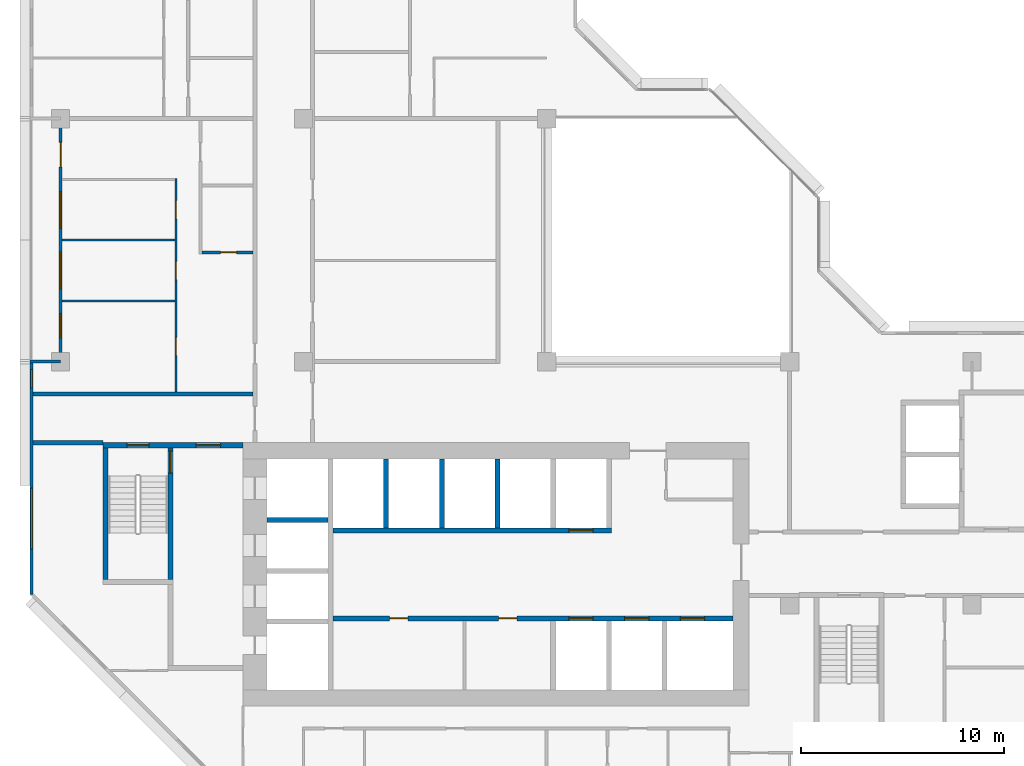
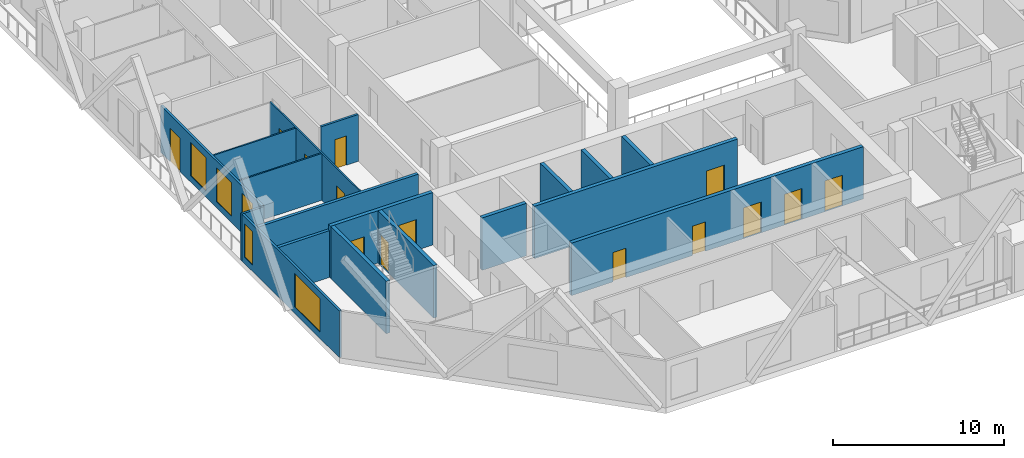
# One storey, part 5 of 14: 18 walls, 14 doors, 5 windows, 19 openings.
"""IFC4 building model written with IfcOpenShell, lengths in metres."""

from ifc_helpers import new_model, si_unit, direction, frame, frame_2d, origin, place, context, subcontext, project, spatial, rectangle, extrude, material, layer, layer_set, type_object, element, fill, save


model = new_model("IFC4")

# Units and contexts
model_context = context("Model", 3, precision=1e-05, world=origin(), true_north=direction((0.0, 1.0)))
body_context = subcontext(model_context, "Body", "Model", "MODEL_VIEW")
ifc_project = project(units=[si_unit("LENGTHUNIT", "METRE"), si_unit("AREAUNIT", "SQUARE_METRE"), si_unit("VOLUMEUNIT", "CUBIC_METRE"), si_unit("PLANEANGLEUNIT", "RADIAN"), si_unit("MASSUNIT", "GRAM", prefix="KILO")], contexts=[model_context])

# Site, building, storey
site_placement = place(None, origin())
site = spatial("IfcSite", under=ifc_project, at=site_placement, CompositionType="ELEMENT")
building_placement = place(site_placement, origin())
building = spatial("IfcBuilding", under=site, at=building_placement, Name="Chenar Terraces", CompositionType="ELEMENT")
storey_placement = place(building_placement, frame((0.0, 0.0, 157.39990234375)))
storey = spatial("IfcBuildingStorey", under=building, at=storey_placement, Name="L35", CompositionType="ELEMENT", Elevation=157.39990234375)

# Wall, openings, doors
ifc_material_1 = material(Name="Concrete C60/75", Category="concrete")
ifc_layer_1 = layer(ifc_material_1, 0.25)
ifc_layer_set_1 = layer_set([ifc_layer_1], Name="Concrete C60/75")
wall_type_1 = type_object("IfcWallType", Name="Core wall 250 Concrete C60/75", PredefinedType="SHEAR", material=ifc_layer_set_1)
wall_1_placement = place(storey_placement, frame((13.449951171875, 11.324951171875, 0.0), z_axis=(0.0, 0.0, 1.0), x_axis=(1.0, 0.0, 0.0)))
wall_1 = element("IfcWall", 1, at=wall_1_placement, inside=storey, type_object=wall_type_1, Name="Core wall SF L35", PredefinedType="SHEAR", context=body_context, shape_type="SweptSolid", body=[
    extrude(rectangle(XDim=19.75, YDim=0.25, at=frame_2d((9.875, 0.0))), origin(), (0.0, 0.0, 1.0), 3.75),
])
opening_1_placement = place(wall_1_placement, frame((11.64990234375, 0.0, 0.0)))
opening_1 = element("IfcOpeningElement", 2, at=opening_1_placement, cuts=wall_1, Name="Opening DL35-LD1", PredefinedType="OPENING", context=body_context, shape_type="SweptSolid", body=[
    extrude(rectangle(XDim=1.199951171875, YDim=2.199951171875, at=frame_2d((0.60009765625, 1.10009765625))), frame((0.0, 0.135009765625, 0.0), z_axis=(0.0, -1.0, 0.0), x_axis=(1.0, 0.0, 0.0)), (0.0, 0.0, 1.0), 0.27001953125),
])
opening_2_placement = place(wall_1_placement, frame((14.39990234375, 0.0, 0.0)))
opening_2 = element("IfcOpeningElement", 3, at=opening_2_placement, cuts=wall_1, Name="Opening DL35-LD2", PredefinedType="OPENING", context=body_context, shape_type="SweptSolid", body=[
    extrude(rectangle(XDim=1.199951171875, YDim=2.199951171875, at=frame_2d((0.60009765625, 1.10009765625))), frame((0.0, 0.135009765625, 0.0), z_axis=(0.0, -1.0, 0.0), x_axis=(1.0, 0.0, 0.0)), (0.0, 0.0, 1.0), 0.27001953125),
])
opening_3_placement = place(wall_1_placement, frame((17.14990234375, 0.0, 0.0)))
opening_3 = element("IfcOpeningElement", 4, at=opening_3_placement, cuts=wall_1, Name="Opening DL35-LD3", PredefinedType="OPENING", context=body_context, shape_type="SweptSolid", body=[
    extrude(rectangle(XDim=1.199951171875, YDim=2.199951171875, at=frame_2d((0.60009765625, 1.10009765625))), frame((0.0, 0.135009765625, 0.0), z_axis=(0.0, -1.0, 0.0), x_axis=(1.0, 0.0, 0.0)), (0.0, 0.0, 1.0), 0.27001953125),
])
opening_4_placement = place(wall_1_placement, frame((2.800048828125, 0.0, 0.0)))
opening_4 = element("IfcOpeningElement", 5, at=opening_4_placement, cuts=wall_1, Name="Opening DL35-C12", PredefinedType="OPENING", context=body_context, shape_type="SweptSolid", body=[
    extrude(rectangle(XDim=0.89990234375, YDim=2.10009765625, at=frame_2d((0.449951171875, 1.050048828125))), frame((0.0, 0.135009765625, 0.0), z_axis=(0.0, -1.0, 0.0), x_axis=(1.0, 0.0, 0.0)), (0.0, 0.0, 1.0), 0.27001953125),
])
opening_5_placement = place(wall_1_placement, frame((8.175048828125, 0.0, 0.0)))
opening_5 = element("IfcOpeningElement", 6, at=opening_5_placement, cuts=wall_1, Name="Opening DL35-C13", PredefinedType="OPENING", context=body_context, shape_type="SweptSolid", body=[
    extrude(rectangle(XDim=0.89990234375, YDim=2.10009765625, at=frame_2d((0.449951171875, 1.050048828125))), frame((0.0, 0.135009765625, 0.0), z_axis=(0.0, -1.0, 0.0), x_axis=(1.0, 0.0, 0.0)), (0.0, 0.0, 1.0), 0.27001953125),
])
ifc_material_2 = material(Name="Stainless steel", Category="steel")
door_type_1 = type_object("IfcDoorType", Name="Lift landing door 1200 x 2200 sliding", OperationType="DOUBLE_DOOR_SLIDING", PredefinedType="DOOR", material=ifc_material_2)
door_1_placement = place(opening_1_placement, origin())
door_1 = element("IfcDoor", 7, at=door_1_placement, inside=storey, type_object=door_type_1, Name="Landing door M1", OperationType="DOUBLE_DOOR_SLIDING", OverallHeight=2.199951171875, OverallWidth=1.199951171875, PredefinedType="DOOR", context=body_context, shape_type="SweptSolid", body=[
    extrude(rectangle(XDim=1.199951171875, YDim=2.199951171875, at=frame_2d((0.60009765625, 1.10009765625))), frame((0.0, 0.02490234375, 0.0), z_axis=(0.0, -1.0, 0.0), x_axis=(1.0, 0.0, 0.0)), (0.0, 0.0, 1.0), 0.050048828125),
])
fill(opening_1, door_1)
door_2_placement = place(opening_2_placement, origin())
door_2 = element("IfcDoor", 8, at=door_2_placement, inside=storey, type_object=door_type_1, Name="Landing door M2", OperationType="DOUBLE_DOOR_SLIDING", OverallHeight=2.199951171875, OverallWidth=1.199951171875, PredefinedType="DOOR", context=body_context, shape_type="SweptSolid", body=[
    extrude(rectangle(XDim=1.199951171875, YDim=2.199951171875, at=frame_2d((0.60009765625, 1.10009765625))), frame((0.0, 0.02490234375, 0.0), z_axis=(0.0, -1.0, 0.0), x_axis=(1.0, 0.0, 0.0)), (0.0, 0.0, 1.0), 0.050048828125),
])
fill(opening_2, door_2)
door_3_placement = place(opening_3_placement, origin())
door_3 = element("IfcDoor", 9, at=door_3_placement, inside=storey, type_object=door_type_1, Name="Landing door M3", OperationType="DOUBLE_DOOR_SLIDING", OverallHeight=2.199951171875, OverallWidth=1.199951171875, PredefinedType="DOOR", context=body_context, shape_type="SweptSolid", body=[
    extrude(rectangle(XDim=1.199951171875, YDim=2.199951171875, at=frame_2d((0.60009765625, 1.10009765625))), frame((0.0, 0.02490234375, 0.0), z_axis=(0.0, -1.0, 0.0), x_axis=(1.0, 0.0, 0.0)), (0.0, 0.0, 1.0), 0.050048828125),
])
fill(opening_3, door_3)
ifc_material_3 = material(Name="Steel-framed fire-resisting door leaf", Category="steel")
door_type_2 = type_object("IfcDoorType", Name="Riser fire door FD60 900 x 2100", OperationType="SINGLE_SWING_LEFT", PredefinedType="DOOR", material=ifc_material_3)
door_4_placement = place(opening_4_placement, frame((0.89990234375, 0.0, 0.0), z_axis=(0.0, 0.0, 1.0), x_axis=(-1.0, 0.0, 0.0)))
door_4 = element("IfcDoor", 10, at=door_4_placement, inside=storey, type_object=door_type_2, Name="Core room door DL35-C12", OperationType="SINGLE_SWING_LEFT", OverallHeight=2.10009765625, OverallWidth=0.89990234375, PredefinedType="DOOR", context=body_context, shape_type="SweptSolid", body=[
    extrude(rectangle(XDim=0.89990234375, YDim=2.10009765625, at=frame_2d((0.449951171875, 1.050048828125))), frame((0.0, 0.02490234375, 0.0), z_axis=(0.0, -1.0, 0.0), x_axis=(1.0, 0.0, 0.0)), (0.0, 0.0, 1.0), 0.050048828125),
])
fill(opening_4, door_4)
door_5_placement = place(opening_5_placement, frame((0.89990234375, 0.0, 0.0), z_axis=(0.0, 0.0, 1.0), x_axis=(-1.0, 0.0, 0.0)))
door_5 = element("IfcDoor", 11, at=door_5_placement, inside=storey, type_object=door_type_2, Name="Core room door DL35-C13", OperationType="SINGLE_SWING_LEFT", OverallHeight=2.10009765625, OverallWidth=0.89990234375, PredefinedType="DOOR", context=body_context, shape_type="SweptSolid", body=[
    extrude(rectangle(XDim=0.89990234375, YDim=2.10009765625, at=frame_2d((0.449951171875, 1.050048828125))), frame((0.0, 0.02490234375, 0.0), z_axis=(0.0, -1.0, 0.0), x_axis=(1.0, 0.0, 0.0)), (0.0, 0.0, 1.0), 0.050048828125),
])
fill(opening_5, door_5)

# Wall, opening, door
wall_2_placement = place(storey_placement, frame((13.449951171875, 15.675048828125, 0.0), z_axis=(0.0, 0.0, 1.0), x_axis=(1.0, 0.0, 0.0)))
wall_2 = element("IfcWall", 12, at=wall_2_placement, inside=storey, type_object=wall_type_1, Name="Core wall NF L35", PredefinedType="SHEAR", context=body_context, shape_type="SweptSolid", body=[
    extrude(rectangle(XDim=13.75, YDim=0.25, at=frame_2d((6.875, 0.0))), origin(), (0.0, 0.0, 1.0), 3.75),
])
opening_6_placement = place(wall_2_placement, frame((11.64990234375, 0.0, 0.0)))
opening_6 = element("IfcOpeningElement", 13, at=opening_6_placement, cuts=wall_2, Name="Opening DL35-LD4", PredefinedType="OPENING", context=body_context, shape_type="SweptSolid", body=[
    extrude(rectangle(XDim=1.199951171875, YDim=2.199951171875, at=frame_2d((0.60009765625, 1.10009765625))), frame((0.0, 0.135009765625, 0.0), z_axis=(0.0, -1.0, 0.0), x_axis=(1.0, 0.0, 0.0)), (0.0, 0.0, 1.0), 0.27001953125),
])
door_6_placement = place(opening_6_placement, origin())
door_6 = element("IfcDoor", 14, at=door_6_placement, inside=storey, type_object=door_type_1, Name="Landing door M4", OperationType="DOUBLE_DOOR_SLIDING", OverallHeight=2.199951171875, OverallWidth=1.199951171875, PredefinedType="DOOR", context=body_context, shape_type="SweptSolid", body=[
    extrude(rectangle(XDim=1.199951171875, YDim=2.199951171875, at=frame_2d((0.60009765625, 1.10009765625))), frame((0.0, 0.02490234375, 0.0), z_axis=(0.0, -1.0, 0.0), x_axis=(1.0, 0.0, 0.0)), (0.0, 0.0, 1.0), 0.050048828125),
])
fill(opening_6, door_6)

# Walls
wall_3_placement = place(storey_placement, frame((10.199951171875, 16.175048828125, 0.0), z_axis=(0.0, 0.0, 1.0), x_axis=(1.0, 0.0, 0.0)))
element("IfcWall", 15, at=wall_3_placement, inside=storey, type_object=wall_type_1, Name="Core wall HW2 L35", PredefinedType="SHEAR", context=body_context, shape_type="SweptSolid", body=[
    extrude(rectangle(XDim=3.0, YDim=0.25, at=frame_2d((1.5, 0.0))), origin(), (0.0, 0.0, 1.0), 3.75),
])
for number, where, z_axis, x_axis, name in (
    (16, (16.074951171875, 15.800048828125, 0.0), (0.0, 0.0, 1.0), (0.0, 1.0, 0.0), "Core wall NS0 L35"),
    (17, (18.824951171875, 15.800048828125, 0.0), (0.0, 0.0, 1.0), (0.0, 1.0, 0.0), "Core wall NS1 L35"),
    (18, (21.574951171875, 15.800048828125, 0.0), (0.0, 0.0, 1.0), (0.0, 1.0, 0.0), "Core wall NS2 L35"),
):
    element("IfcWall", number, at=place(storey_placement, frame(where, z_axis=z_axis, x_axis=x_axis)), inside=storey, type_object=wall_type_1, Name=name, PredefinedType="SHEAR", context=body_context, shape_type="SweptSolid", body=[
        extrude(rectangle(XDim=3.39990234375, YDim=0.25, at=frame_2d((1.699951171875, 0.0))), origin(), (0.0, 0.0, 1.0), 3.75),
    ])

# Wall, openings, doors
wall_4_placement = place(storey_placement, frame((2.10009765625, 19.875, 0.0), z_axis=(0.0, 0.0, 1.0), x_axis=(1.0, 0.0, 0.0)))
wall_4 = element("IfcWall", 19, at=wall_4_placement, inside=storey, type_object=wall_type_1, Name="Core wall A_N L35", PredefinedType="SHEAR", context=body_context, shape_type="SweptSolid", body=[
    extrude(rectangle(XDim=6.89990234375, YDim=0.25, at=frame_2d((3.449951171875, 0.0))), origin(), (0.0, 0.0, 1.0), 3.75),
])
opening_7_placement = place(wall_4_placement, frame((1.175048828125, 0.0, 0.0)))
opening_7 = element("IfcOpeningElement", 20, at=opening_7_placement, cuts=wall_4, Name="Opening DL35-C5", PredefinedType="OPENING", context=body_context, shape_type="SweptSolid", body=[
    extrude(rectangle(XDim=1.10009765625, YDim=2.199951171875, at=frame_2d((0.550048828125, 1.10009765625))), frame((0.0, 0.135009765625, 0.0), z_axis=(0.0, -1.0, 0.0), x_axis=(1.0, 0.0, 0.0)), (0.0, 0.0, 1.0), 0.27001953125),
])
opening_8_placement = place(wall_4_placement, frame((4.60009765625, 0.0, 0.0)))
opening_8 = element("IfcOpeningElement", 21, at=opening_8_placement, cuts=wall_4, Name="Opening DL35-C6", PredefinedType="OPENING", context=body_context, shape_type="SweptSolid", body=[
    extrude(rectangle(XDim=1.199951171875, YDim=2.199951171875, at=frame_2d((0.60009765625, 1.10009765625))), frame((0.0, 0.135009765625, 0.0), z_axis=(0.0, -1.0, 0.0), x_axis=(1.0, 0.0, 0.0)), (0.0, 0.0, 1.0), 0.27001953125),
])
ifc_material_4 = material(Name="Steel-framed fire-resisting door leaf", Category="steel")
door_type_3 = type_object("IfcDoorType", Name="Lobby fire door FD60 1200 x 2200", OperationType="SINGLE_SWING_LEFT", PredefinedType="DOOR", material=ifc_material_4)
door_7_placement = place(opening_8_placement, frame((1.199951171875, 0.0, 0.0), z_axis=(0.0, 0.0, 1.0), x_axis=(-1.0, 0.0, 0.0)))
door_7 = element("IfcDoor", 22, at=door_7_placement, inside=storey, type_object=door_type_3, Name="Core door DL35-C6", OperationType="SINGLE_SWING_LEFT", OverallHeight=2.199951171875, OverallWidth=1.199951171875, PredefinedType="DOOR", context=body_context, shape_type="SweptSolid", body=[
    extrude(rectangle(XDim=1.199951171875, YDim=2.199951171875, at=frame_2d((0.60009765625, 1.10009765625))), frame((0.0, 0.02490234375, 0.0), z_axis=(0.0, -1.0, 0.0), x_axis=(1.0, 0.0, 0.0)), (0.0, 0.0, 1.0), 0.050048828125),
])
fill(opening_8, door_7)
ifc_material_5 = material(Name="Steel-framed fire-resisting door leaf", Category="steel")
door_type_4 = type_object("IfcDoorType", Name="Stair fire door FD60 1100 x 2200", OperationType="SINGLE_SWING_LEFT", PredefinedType="DOOR", material=ifc_material_5)
door_8_placement = place(opening_7_placement, origin())
door_8 = element("IfcDoor", 23, at=door_8_placement, inside=storey, type_object=door_type_4, Name="Stair door DL35-C5", OperationType="SINGLE_SWING_LEFT", OverallHeight=2.199951171875, OverallWidth=1.10009765625, PredefinedType="DOOR", context=body_context, shape_type="SweptSolid", body=[
    extrude(rectangle(XDim=1.10009765625, YDim=2.199951171875, at=frame_2d((0.550048828125, 1.10009765625))), frame((0.0, 0.02490234375, 0.0), z_axis=(0.0, -1.0, 0.0), x_axis=(1.0, 0.0, 0.0)), (0.0, 0.0, 1.0), 0.050048828125),
])
fill(opening_7, door_8)

# Wall
wall_5_placement = place(storey_placement, frame((2.22509765625, 13.25, 0.0), z_axis=(0.0, 0.0, 1.0), x_axis=(0.0, 1.0, 0.0)))
element("IfcWall", 24, at=wall_5_placement, inside=storey, type_object=wall_type_1, Name="Core wall ST1_W L35", PredefinedType="SHEAR", context=body_context, shape_type="SweptSolid", body=[
    extrude(rectangle(XDim=6.5, YDim=0.25, at=frame_2d((3.25, 0.0))), origin(), (0.0, 0.0, 1.0), 3.75),
])

# Wall, opening, door
wall_6_placement = place(storey_placement, frame((5.425048828125, 13.25, 0.0), z_axis=(0.0, 0.0, 1.0), x_axis=(0.0, 1.0, 0.0)))
wall_6 = element("IfcWall", 25, at=wall_6_placement, inside=storey, type_object=wall_type_1, Name="Core wall ST1_E L35", PredefinedType="SHEAR", context=body_context, shape_type="SweptSolid", body=[
    extrude(rectangle(XDim=6.5, YDim=0.25, at=frame_2d((3.25, 0.0))), origin(), (0.0, 0.0, 1.0), 3.75),
])
opening_9_placement = place(wall_6_placement, frame((5.25, 0.0, 0.0)))
opening_9 = element("IfcOpeningElement", 26, at=opening_9_placement, cuts=wall_6, Name="Opening DL35-C3", PredefinedType="OPENING", context=body_context, shape_type="SweptSolid", body=[
    extrude(rectangle(XDim=1.10009765625, YDim=2.199951171875, at=frame_2d((0.550048828125, 1.10009765625))), frame((0.0, 0.135009765625, 0.0), z_axis=(0.0, -1.0, 0.0), x_axis=(1.0, 0.0, 0.0)), (0.0, 0.0, 1.0), 0.27001953125),
])
door_9_placement = place(opening_9_placement, origin())
door_9 = element("IfcDoor", 27, at=door_9_placement, inside=storey, type_object=door_type_4, Name="Stair door DL35-C3", OperationType="SINGLE_SWING_RIGHT", OverallHeight=2.199951171875, OverallWidth=1.10009765625, PredefinedType="DOOR", context=body_context, shape_type="SweptSolid", body=[
    extrude(rectangle(XDim=1.10009765625, YDim=2.199951171875, at=frame_2d((0.550048828125, 1.10009765625))), frame((0.0, 0.02490234375, 0.0), z_axis=(0.0, -1.0, 0.0), x_axis=(1.0, 0.0, 0.0)), (0.0, 0.0, 1.0), 0.050048828125),
])
fill(opening_9, door_9)

# Walls
ifc_material_6 = material(Name="Gypsum board on steel studs with fire boards", Category="steel")
ifc_layer_2 = layer(ifc_material_6, 0.199951171875)
ifc_layer_set_2 = layer_set([ifc_layer_2], Name="Gypsum board on steel studs with fire boards")
wall_type_2 = type_object("IfcWallType", Name="Corridor wall 200", PredefinedType="PARTITIONING", material=ifc_layer_set_2)
wall_7_placement = place(storey_placement, frame((-1.35009765625, 20.0, 0.0), z_axis=(0.0, 0.0, 1.0), x_axis=(1.0, 0.0, 0.0)))
element("IfcWall", 28, at=wall_7_placement, inside=storey, type_object=wall_type_2, Name="Partition L35-004", PredefinedType="PARTITIONING", context=body_context, shape_type="SweptSolid", body=[
    extrude(rectangle(XDim=3.4501953125, YDim=0.199951171875, at=frame_2d((1.72509765625, 0.0))), origin(), (0.0, 0.0, 1.0), 3.35009765625),
])
wall_8_placement = place(storey_placement, frame((-1.35009765625, 22.39990234375, 0.0), z_axis=(0.0, 0.0, 1.0), x_axis=(1.0, 0.0, 0.0)))
element("IfcWall", 29, at=wall_8_placement, inside=storey, type_object=wall_type_2, Name="Partition L35-005", PredefinedType="PARTITIONING", context=body_context, shape_type="SweptSolid", body=[
    extrude(rectangle(XDim=10.85009765625, YDim=0.199951171875, at=frame_2d((5.425048828125, 0.0))), origin(), (0.0, 0.0, 1.0), 3.35009765625),
])

# Wall, openings, windows
ifc_material_7 = material(Name="Aluminium framed glazing", Category="aluminium")
ifc_layer_3 = layer(ifc_material_7, 0.14990234375)
ifc_layer_set_3 = layer_set([ifc_layer_3], Name="Aluminium framed glazing")
wall_type_3 = type_object("IfcWallType", Name="Glazed flush facade wall 150", PredefinedType="SOLIDWALL", material=ifc_layer_set_3)
wall_9_placement = place(storey_placement, frame((-1.425048828125, 23.925048828125, 0.0), z_axis=(0.0, 0.0, 1.0), x_axis=(0.0, -1.0, 0.0)))
wall_9 = element("IfcWall", 30, at=wall_9_placement, inside=storey, type_object=wall_type_3, Name="Glazed flush facade wall", PredefinedType="SOLIDWALL", context=body_context, shape_type="SweptSolid", body=[
    extrude(rectangle(XDim=11.425048828125, YDim=0.14990234375, at=frame_2d((5.71240234375, 0.0))), origin(), (0.0, 0.0, 1.0), 3.35009765625),
])
opening_10_placement = place(wall_9_placement, frame((0.3125, 0.0, 0.449951171875)))
opening_10 = element("IfcOpeningElement", 31, at=opening_10_placement, cuts=wall_9, Name="Opening W90x240", PredefinedType="OPENING", context=body_context, shape_type="SweptSolid", body=[
    extrude(rectangle(XDim=0.89990234375, YDim=2.39990234375, at=frame_2d((0.449951171875, 1.199951171875))), frame((0.0, 0.0849609375, 0.0), z_axis=(0.0, -1.0, 0.0), x_axis=(1.0, 0.0, 0.0)), (0.0, 0.0, 1.0), 0.169921875),
])
opening_11_placement = place(wall_9_placement, frame((6.175048828125, 0.0, 0.449951171875)))
opening_11 = element("IfcOpeningElement", 32, at=opening_11_placement, cuts=wall_9, Name="Opening W300x240", PredefinedType="OPENING", context=body_context, shape_type="SweptSolid", body=[
    extrude(rectangle(XDim=3.0, YDim=2.39990234375, at=frame_2d((1.5, 1.199951171875))), frame((0.0, 0.0849609375, 0.0), z_axis=(0.0, -1.0, 0.0), x_axis=(1.0, 0.0, 0.0)), (0.0, 0.0, 1.0), 0.169921875),
])
ifc_material_8 = material(Name="Low emissivity double glazing, aluminium frame", Category="aluminium")
window_type_1 = type_object("IfcWindowType", Name="Fixed light 3000 x 2400", PartitioningType="SINGLE_PANEL", PredefinedType="WINDOW", material=ifc_material_8)
window_1_placement = place(opening_11_placement, origin())
window_1 = element("IfcWindow", 33, at=window_1_placement, inside=storey, type_object=window_type_1, Name="Window", OverallHeight=2.39990234375, OverallWidth=3.0, PartitioningType="SINGLE_PANEL", PredefinedType="WINDOW", context=body_context, shape_type="SweptSolid", body=[
    extrude(rectangle(XDim=3.0, YDim=2.39990234375, at=frame_2d((1.5, 1.199951171875))), frame((0.0, 0.030029296875, 0.0), z_axis=(0.0, -1.0, 0.0), x_axis=(1.0, 0.0, 0.0)), (0.0, 0.0, 1.0), 0.06005859375),
])
fill(opening_11, window_1)
ifc_material_9 = material(Name="Low emissivity double glazing, aluminium frame", Category="aluminium")
window_type_2 = type_object("IfcWindowType", Name="Fixed light 900 x 2400", PartitioningType="SINGLE_PANEL", PredefinedType="WINDOW", material=ifc_material_9)
window_2_placement = place(opening_10_placement, origin())
window_2 = element("IfcWindow", 34, at=window_2_placement, inside=storey, type_object=window_type_2, Name="Window", OverallHeight=2.39990234375, OverallWidth=0.89990234375, PartitioningType="SINGLE_PANEL", PredefinedType="WINDOW", context=body_context, shape_type="SweptSolid", body=[
    extrude(rectangle(XDim=0.89990234375, YDim=2.39990234375, at=frame_2d((0.449951171875, 1.199951171875))), frame((0.0, 0.030029296875, 0.0), z_axis=(0.0, -1.0, 0.0), x_axis=(1.0, 0.0, 0.0)), (0.0, 0.0, 1.0), 0.06005859375),
])
fill(opening_10, window_2)

# Wall, openings, windows, door
ifc_material_10 = material(Name="Aluminium framed glazing", Category="aluminium")
ifc_layer_4 = layer(ifc_material_10, 0.14990234375)
ifc_layer_set_4 = layer_set([ifc_layer_4], Name="Aluminium framed glazing")
wall_type_4 = type_object("IfcWallType", Name="Glazed loggia back wall 150", PredefinedType="SOLIDWALL", material=ifc_layer_set_4)
wall_10_placement = place(storey_placement, frame((0.0, 35.925048828125, 0.0), z_axis=(0.0, 0.0, 1.0), x_axis=(0.0, -1.0, 0.0)))
wall_10 = element("IfcWall", 35, at=wall_10_placement, inside=storey, type_object=wall_type_4, Name="Glazed loggia back wall", PredefinedType="SOLIDWALL", context=body_context, shape_type="SweptSolid", body=[
    extrude(rectangle(XDim=11.85009765625, YDim=0.14990234375, at=frame_2d((5.925048828125, 0.0))), origin(), (0.0, 0.0, 1.0), 3.35009765625),
])
opening_12_placement = place(wall_10_placement, frame((1.10009765625, 0.0, 0.0)))
opening_12 = element("IfcOpeningElement", 36, at=opening_12_placement, cuts=wall_10, Name="Opening DL35-G5", PredefinedType="OPENING", context=body_context, shape_type="SweptSolid", body=[
    extrude(rectangle(XDim=1.199951171875, YDim=2.39990234375, at=frame_2d((0.60009765625, 1.199951171875))), frame((0.0, 0.0849609375, 0.0), z_axis=(0.0, -1.0, 0.0), x_axis=(1.0, 0.0, 0.0)), (0.0, 0.0, 1.0), 0.169921875),
])
opening_13_placement = place(wall_10_placement, frame((3.52490234375, 0.0, 0.449951171875)))
opening_13 = element("IfcOpeningElement", 37, at=opening_13_placement, cuts=wall_10, Name="Opening W180x240", PredefinedType="OPENING", context=body_context, shape_type="SweptSolid", body=[
    extrude(rectangle(XDim=1.800048828125, YDim=2.39990234375, at=frame_2d((0.89990234375, 1.199951171875))), frame((0.0, 0.0849609375, 0.0), z_axis=(0.0, -1.0, 0.0), x_axis=(1.0, 0.0, 0.0)), (0.0, 0.0, 1.0), 0.169921875),
])
opening_14_placement = place(wall_10_placement, frame((6.52490234375, 0.0, 0.449951171875)))
opening_14 = element("IfcOpeningElement", 38, at=opening_14_placement, cuts=wall_10, Name="Opening W180x240", PredefinedType="OPENING", context=body_context, shape_type="SweptSolid", body=[
    extrude(rectangle(XDim=1.800048828125, YDim=2.39990234375, at=frame_2d((0.89990234375, 1.199951171875))), frame((0.0, 0.0849609375, 0.0), z_axis=(0.0, -1.0, 0.0), x_axis=(1.0, 0.0, 0.0)), (0.0, 0.0, 1.0), 0.169921875),
])
opening_15_placement = place(wall_10_placement, frame((9.550048828125, 0.0, 0.449951171875)))
opening_15 = element("IfcOpeningElement", 39, at=opening_15_placement, cuts=wall_10, Name="Opening W120x240", PredefinedType="OPENING", context=body_context, shape_type="SweptSolid", body=[
    extrude(rectangle(XDim=1.199951171875, YDim=2.39990234375, at=frame_2d((0.60009765625, 1.199951171875))), frame((0.0, 0.0849609375, 0.0), z_axis=(0.0, -1.0, 0.0), x_axis=(1.0, 0.0, 0.0)), (0.0, 0.0, 1.0), 0.169921875),
])
ifc_material_11 = material(Name="Low emissivity double glazing, aluminium frame", Category="aluminium")
window_type_3 = type_object("IfcWindowType", Name="Fixed light 1200 x 2400", PartitioningType="SINGLE_PANEL", PredefinedType="WINDOW", material=ifc_material_11)
window_3_placement = place(opening_15_placement, origin())
window_3 = element("IfcWindow", 40, at=window_3_placement, inside=storey, type_object=window_type_3, Name="Window", OverallHeight=2.39990234375, OverallWidth=1.199951171875, PartitioningType="SINGLE_PANEL", PredefinedType="WINDOW", context=body_context, shape_type="SweptSolid", body=[
    extrude(rectangle(XDim=1.199951171875, YDim=2.39990234375, at=frame_2d((0.60009765625, 1.199951171875))), frame((0.0, 0.030029296875, 0.0), z_axis=(0.0, -1.0, 0.0), x_axis=(1.0, 0.0, 0.0)), (0.0, 0.0, 1.0), 0.06005859375),
])
fill(opening_15, window_3)
ifc_material_12 = material(Name="Low emissivity double glazing, aluminium frame", Category="aluminium")
window_type_4 = type_object("IfcWindowType", Name="Fixed light 1800 x 2400", PartitioningType="SINGLE_PANEL", PredefinedType="WINDOW", material=ifc_material_12)
window_4_placement = place(opening_13_placement, origin())
window_4 = element("IfcWindow", 41, at=window_4_placement, inside=storey, type_object=window_type_4, Name="Window", OverallHeight=2.39990234375, OverallWidth=1.800048828125, PartitioningType="SINGLE_PANEL", PredefinedType="WINDOW", context=body_context, shape_type="SweptSolid", body=[
    extrude(rectangle(XDim=1.800048828125, YDim=2.39990234375, at=frame_2d((0.89990234375, 1.199951171875))), frame((0.0, 0.030029296875, 0.0), z_axis=(0.0, -1.0, 0.0), x_axis=(1.0, 0.0, 0.0)), (0.0, 0.0, 1.0), 0.06005859375),
])
fill(opening_13, window_4)
window_5_placement = place(opening_14_placement, origin())
window_5 = element("IfcWindow", 42, at=window_5_placement, inside=storey, type_object=window_type_4, Name="Window", OverallHeight=2.39990234375, OverallWidth=1.800048828125, PartitioningType="SINGLE_PANEL", PredefinedType="WINDOW", context=body_context, shape_type="SweptSolid", body=[
    extrude(rectangle(XDim=1.800048828125, YDim=2.39990234375, at=frame_2d((0.89990234375, 1.199951171875))), frame((0.0, 0.030029296875, 0.0), z_axis=(0.0, -1.0, 0.0), x_axis=(1.0, 0.0, 0.0)), (0.0, 0.0, 1.0), 0.06005859375),
])
fill(opening_14, window_5)
ifc_material_13 = material(Name="Low emissivity double glazing, aluminium frame", Category="aluminium")
door_type_5 = type_object("IfcDoorType", Name="Loggia glazed double door 1200 x 2400", OperationType="DOUBLE_DOOR_SINGLE_SWING", PredefinedType="DOOR", material=ifc_material_13)
door_10_placement = place(opening_12_placement, frame((1.199951171875, 0.0, 0.0), z_axis=(0.0, 0.0, 1.0), x_axis=(-1.0, 0.0, 0.0)))
door_10 = element("IfcDoor", 43, at=door_10_placement, inside=storey, type_object=door_type_5, Name="Loggia glazed door", OperationType="DOUBLE_DOOR_SINGLE_SWING", OverallHeight=2.39990234375, OverallWidth=1.199951171875, PredefinedType="DOOR", context=body_context, shape_type="SweptSolid", body=[
    extrude(rectangle(XDim=1.199951171875, YDim=2.39990234375, at=frame_2d((0.60009765625, 1.199951171875))), frame((0.0, 0.02490234375, 0.0), z_axis=(0.0, -1.0, 0.0), x_axis=(1.0, 0.0, 0.0)), (0.0, 0.0, 1.0), 0.050048828125),
])
fill(opening_12, door_10)

# Walls
ifc_material_14 = material(Name="Gypsum board on steel studs", Category="steel")
ifc_layer_5 = layer(ifc_material_14, 0.10009765625)
ifc_layer_set_5 = layer_set([ifc_layer_5], Name="Gypsum board on steel studs")
wall_type_5 = type_object("IfcWallType", Name="Gypsum partition 100", PredefinedType="PARTITIONING", material=ifc_layer_set_5)
for number, where, z_axis, x_axis, name in (
    (44, (0.073974609375, 27.0, 0.0), (0.0, 0.0, 1.0), (1.0, 0.0, 0.0), "Partition L35-008"),
    (45, (0.073974609375, 30.0, 0.0), (0.0, 0.0, 1.0), (1.0, 0.0, 0.0), "Partition L35-009"),
):
    element("IfcWall", number, at=place(storey_placement, frame(where, z_axis=z_axis, x_axis=x_axis)), inside=storey, type_object=wall_type_5, Name=name, PredefinedType="PARTITIONING", context=body_context, shape_type="SweptSolid", body=[
        extrude(rectangle(XDim=5.575927734375, YDim=0.10009765625, at=frame_2d((2.7880859375, 0.0))), origin(), (0.0, 0.0, 1.0), 3.35009765625),
    ])

# Wall, openings, doors
wall_11_placement = place(storey_placement, frame((5.699951171875, 22.5, 0.0), z_axis=(0.0, 0.0, 1.0), x_axis=(0.0, 1.0, 0.0)))
wall_11 = element("IfcWall", 46, at=wall_11_placement, inside=storey, type_object=wall_type_5, Name="Partition L35-015", PredefinedType="PARTITIONING", context=body_context, shape_type="SweptSolid", body=[
    extrude(rectangle(XDim=10.550048828125, YDim=0.10009765625, at=frame_2d((5.27490234375, 0.0))), origin(), (0.0, 0.0, 1.0), 3.35009765625),
])
opening_16_placement = place(wall_11_placement, frame((1.800048828125, 0.0, 0.0)))
opening_16 = element("IfcOpeningElement", 47, at=opening_16_placement, cuts=wall_11, Name="Opening DL35-58", PredefinedType="OPENING", context=body_context, shape_type="SweptSolid", body=[
    extrude(rectangle(XDim=0.89990234375, YDim=2.10009765625, at=frame_2d((0.449951171875, 1.050048828125))), frame((0.0, 0.06005859375, 0.0), z_axis=(0.0, -1.0, 0.0), x_axis=(1.0, 0.0, 0.0)), (0.0, 0.0, 1.0), 0.1201171875),
])
opening_17_placement = place(wall_11_placement, frame((5.550048828125, 0.0, 0.0)))
opening_17 = element("IfcOpeningElement", 48, at=opening_17_placement, cuts=wall_11, Name="Opening DL35-59", PredefinedType="OPENING", context=body_context, shape_type="SweptSolid", body=[
    extrude(rectangle(XDim=0.89990234375, YDim=2.10009765625, at=frame_2d((0.449951171875, 1.050048828125))), frame((0.0, 0.06005859375, 0.0), z_axis=(0.0, -1.0, 0.0), x_axis=(1.0, 0.0, 0.0)), (0.0, 0.0, 1.0), 0.1201171875),
])
opening_18_placement = place(wall_11_placement, frame((8.550048828125, 0.0, 0.0)))
opening_18 = element("IfcOpeningElement", 49, at=opening_18_placement, cuts=wall_11, Name="Opening DL35-60", PredefinedType="OPENING", context=body_context, shape_type="SweptSolid", body=[
    extrude(rectangle(XDim=0.89990234375, YDim=2.10009765625, at=frame_2d((0.449951171875, 1.050048828125))), frame((0.0, 0.06005859375, 0.0), z_axis=(0.0, -1.0, 0.0), x_axis=(1.0, 0.0, 0.0)), (0.0, 0.0, 1.0), 0.1201171875),
])
ifc_material_15 = material(Name="Veneered timber door leaf", Category="wood")
door_type_6 = type_object("IfcDoorType", Name="Door 900 x 2100", OperationType="SINGLE_SWING_LEFT", PredefinedType="DOOR", material=ifc_material_15)
door_11_placement = place(opening_16_placement, origin())
door_11 = element("IfcDoor", 50, at=door_11_placement, inside=storey, type_object=door_type_6, Name="Door DL35-58", OperationType="SINGLE_SWING_RIGHT", OverallHeight=2.10009765625, OverallWidth=0.89990234375, PredefinedType="DOOR", context=body_context, shape_type="SweptSolid", body=[
    extrude(rectangle(XDim=0.89990234375, YDim=2.10009765625, at=frame_2d((0.449951171875, 1.050048828125))), frame((0.0, 0.02490234375, 0.0), z_axis=(0.0, -1.0, 0.0), x_axis=(1.0, 0.0, 0.0)), (0.0, 0.0, 1.0), 0.050048828125),
])
fill(opening_16, door_11)
door_12_placement = place(opening_17_placement, origin())
door_12 = element("IfcDoor", 51, at=door_12_placement, inside=storey, type_object=door_type_6, Name="Door DL35-59", OperationType="SINGLE_SWING_RIGHT", OverallHeight=2.10009765625, OverallWidth=0.89990234375, PredefinedType="DOOR", context=body_context, shape_type="SweptSolid", body=[
    extrude(rectangle(XDim=0.89990234375, YDim=2.10009765625, at=frame_2d((0.449951171875, 1.050048828125))), frame((0.0, 0.02490234375, 0.0), z_axis=(0.0, -1.0, 0.0), x_axis=(1.0, 0.0, 0.0)), (0.0, 0.0, 1.0), 0.050048828125),
])
fill(opening_17, door_12)
door_13_placement = place(opening_18_placement, origin())
door_13 = element("IfcDoor", 52, at=door_13_placement, inside=storey, type_object=door_type_6, Name="Door DL35-60", OperationType="SINGLE_SWING_RIGHT", OverallHeight=2.10009765625, OverallWidth=0.89990234375, PredefinedType="DOOR", context=body_context, shape_type="SweptSolid", body=[
    extrude(rectangle(XDim=0.89990234375, YDim=2.10009765625, at=frame_2d((0.449951171875, 1.050048828125))), frame((0.0, 0.02490234375, 0.0), z_axis=(0.0, -1.0, 0.0), x_axis=(1.0, 0.0, 0.0)), (0.0, 0.0, 1.0), 0.050048828125),
])
fill(opening_18, door_13)

# Wall
ifc_material_16 = material(Name="Terracotta cladding on insulated backing", Category="masonry")
ifc_layer_6 = layer(ifc_material_16, 0.14990234375)
ifc_layer_set_6 = layer_set([ifc_layer_6], Name="Terracotta cladding on insulated backing")
wall_type_6 = type_object("IfcWallType", Name="Loggia return wall 150", PredefinedType="SOLIDWALL", material=ifc_layer_set_6)
wall_12_placement = place(storey_placement, frame((-1.5, 24.0, 0.0), z_axis=(0.0, 0.0, 1.0), x_axis=(1.0, 0.0, 0.0)))
element("IfcWall", 53, at=wall_12_placement, inside=storey, type_object=wall_type_6, Name="Loggia return wall", PredefinedType="SOLIDWALL", context=body_context, shape_type="SweptSolid", body=[
    extrude(rectangle(XDim=1.5, YDim=0.14990234375, at=frame_2d((0.75, 0.0))), origin(), (0.0, 0.0, 1.0), 3.35009765625),
])

# Wall, opening, door
ifc_material_17 = material(Name="Moisture-resistant gypsum board on steel studs", Category="steel")
ifc_layer_7 = layer(ifc_material_17, 0.14990234375)
ifc_layer_set_7 = layer_set([ifc_layer_7], Name="Moisture-resistant gypsum board on steel studs")
wall_type_7 = type_object("IfcWallType", Name="Wet-room partition 150", PredefinedType="PARTITIONING", material=ifc_layer_set_7)
wall_13_placement = place(storey_placement, frame((6.97509765625, 29.39990234375, 0.0), z_axis=(0.0, 0.0, 1.0), x_axis=(1.0, 0.0, 0.0)))
wall_13 = element("IfcWall", 54, at=wall_13_placement, inside=storey, type_object=wall_type_7, Name="Partition L35-024", PredefinedType="PARTITIONING", context=body_context, shape_type="SweptSolid", body=[
    extrude(rectangle(XDim=2.52490234375, YDim=0.14990234375, at=frame_2d((1.262451171875, 0.0))), origin(), (0.0, 0.0, 1.0), 3.35009765625),
])
opening_19_placement = place(wall_13_placement, frame((0.925048828125, 0.0, 0.0)))
opening_19 = element("IfcOpeningElement", 55, at=opening_19_placement, cuts=wall_13, Name="Opening DL35-57", PredefinedType="OPENING", context=body_context, shape_type="SweptSolid", body=[
    extrude(rectangle(XDim=0.800048828125, YDim=2.10009765625, at=frame_2d((0.39990234375, 1.050048828125))), frame((0.0, 0.0849609375, 0.0), z_axis=(0.0, -1.0, 0.0), x_axis=(1.0, 0.0, 0.0)), (0.0, 0.0, 1.0), 0.169921875),
])
ifc_material_18 = material(Name="Veneered timber door leaf", Category="wood")
door_type_7 = type_object("IfcDoorType", Name="Door 800 x 2100", OperationType="SINGLE_SWING_LEFT", PredefinedType="DOOR", material=ifc_material_18)
door_14_placement = place(opening_19_placement, origin())
door_14 = element("IfcDoor", 56, at=door_14_placement, inside=storey, type_object=door_type_7, Name="Door DL35-57", OperationType="SINGLE_SWING_RIGHT", OverallHeight=2.10009765625, OverallWidth=0.800048828125, PredefinedType="DOOR", context=body_context, shape_type="SweptSolid", body=[
    extrude(rectangle(XDim=0.800048828125, YDim=2.10009765625, at=frame_2d((0.39990234375, 1.050048828125))), frame((0.0, 0.02490234375, 0.0), z_axis=(0.0, -1.0, 0.0), x_axis=(1.0, 0.0, 0.0)), (0.0, 0.0, 1.0), 0.050048828125),
])
fill(opening_19, door_14)

save(model, "model.ifc")
